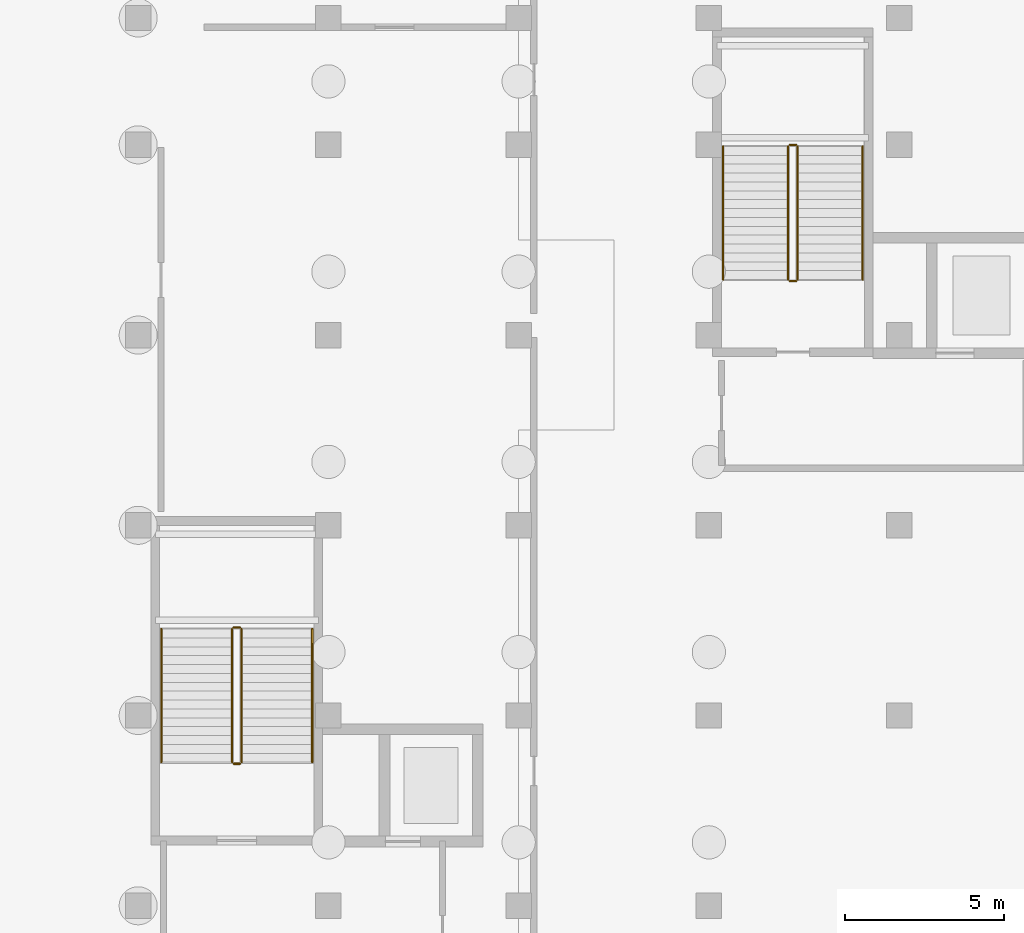
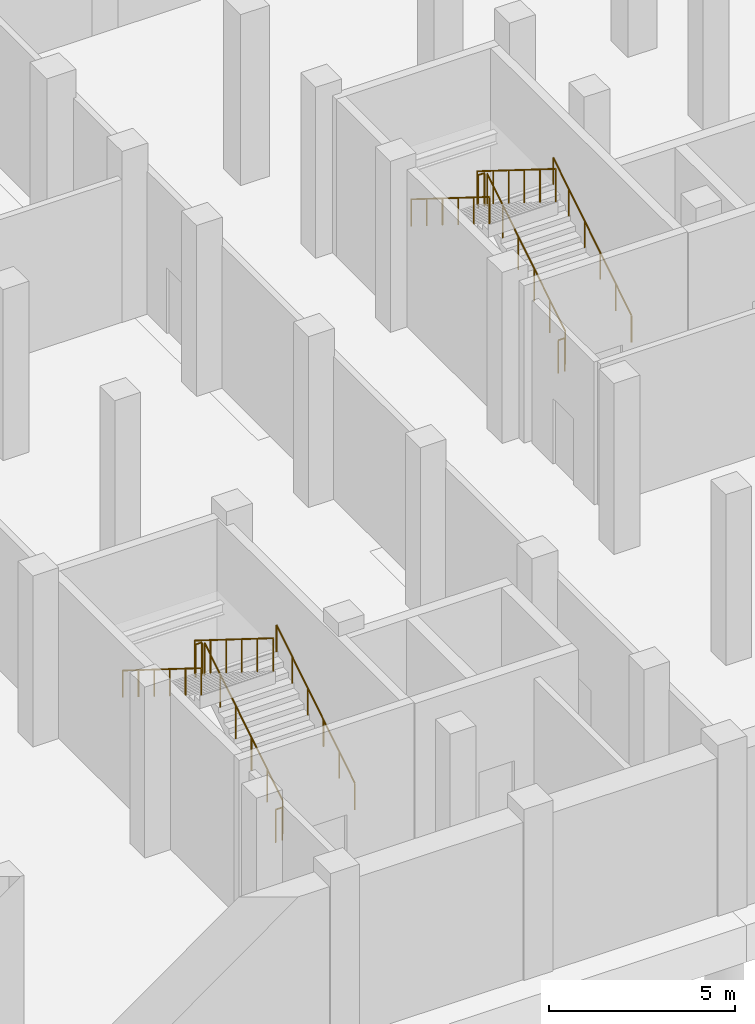
# One storey, part 25 of 26: 12 railings.
"""IFC4 building model written with IfcOpenShell, lengths in metres."""

from ifc_helpers import new_model, si_unit, direction, frame, origin, origin_2d, place, context, subcontext, project, spatial, circle, extrude, material, type_object, element, save


model = new_model("IFC4")

# Units and contexts
model_context = context("Model", 3, precision=1e-05, world=origin(), true_north=direction((0.0, 1.0)))
body_context = subcontext(model_context, "Body", "Model", "MODEL_VIEW")
ifc_project = project(units=[si_unit("LENGTHUNIT", "METRE"), si_unit("AREAUNIT", "SQUARE_METRE"), si_unit("VOLUMEUNIT", "CUBIC_METRE"), si_unit("PLANEANGLEUNIT", "RADIAN"), si_unit("MASSUNIT", "GRAM", prefix="KILO")], contexts=[model_context])

# Site, building, storey
site_placement = place(None, origin())
site = spatial("IfcSite", under=ifc_project, at=site_placement, CompositionType="ELEMENT")
building_placement = place(site_placement, origin())
building = spatial("IfcBuilding", under=site, at=building_placement, Name="Verrall Gate Interchange", CompositionType="ELEMENT")
storey_placement = place(building_placement, frame((0.0, 0.0, -10.39990234375)))
storey = spatial("IfcBuildingStorey", under=building, at=storey_placement, Name="B2", CompositionType="ELEMENT", Elevation=-10.39990234375)

# Railings
ifc_material_1 = material(Name="Brushed Stainless-Steel Guardrail and Handrail System", Category="steel")
railing_type_1 = type_object("IfcRailingType", Name="GR-02 Interior Atrium and Stair Guardrail 1100", PredefinedType="GUARDRAIL", material=ifc_material_1)
railing_1_placement = place(storey_placement, frame((135.260009765625, 20.530029296875, 0.1748046875)))
element("IfcRailing", 1, at=railing_1_placement, inside=storey, type_object=railing_type_1, Name="B2 ST-08 stair guard 1", PredefinedType="GUARDRAIL", context=body_context, shape_type="SweptSolid", body=[
    extrude(circle(Radius=0.02392578125, at=origin_2d()), frame((0.0, 0.0, 1.076171875), z_axis=(0.0, 0.847995534698, 0.530003370869), x_axis=(-1.0, 0.0, 0.0)), (0.0, 0.0, 1.0), 4.952880859375),
    extrude(circle(Radius=0.02099609375, at=origin_2d()), origin(), (0.0, 0.0, 1.0), 1.052001953125),
    extrude(circle(Radius=0.02099609375, at=origin_2d()), frame((0.0, 0.840087890625, 0.52490234375)), (0.0, 0.0, 1.0), 1.052001953125),
    extrude(circle(Radius=0.02099609375, at=origin_2d()), frame((0.0, 1.679931640625, 1.050048828125)), (0.0, 0.0, 1.0), 1.052001953125),
    extrude(circle(Radius=0.02099609375, at=origin_2d()), frame((0.0, 2.52001953125, 1.574951171875)), (0.0, 0.0, 1.0), 1.052001953125),
    extrude(circle(Radius=0.02099609375, at=origin_2d()), frame((0.0, 3.35986328125, 2.10009765625)), (0.0, 0.0, 1.0), 1.052001953125),
    extrude(circle(Radius=0.02099609375, at=origin_2d()), frame((0.0, 4.199951171875, 2.625)), (0.0, 0.0, 1.0), 1.052001953125),
])
railing_2_placement = place(storey_placement, frame((135.2099609375, 24.780029296875, 2.7998046875)))
element("IfcRailing", 2, at=railing_2_placement, inside=storey, type_object=railing_type_1, Name="B2 ST-08 stair guard 2", PredefinedType="GUARDRAIL", context=body_context, shape_type="SweptSolid", body=[
    extrude(circle(Radius=0.02392578125, at=origin_2d()), frame((0.0, 0.0, 1.076171875), z_axis=(-1.0, 0.0, 0.0), x_axis=(0.0, -1.0, 0.0)), (0.0, 0.0, 1.0), 0.199951171875),
    extrude(circle(Radius=0.02099609375, at=origin_2d()), origin(), (0.0, 0.0, 1.0), 1.052001953125),
    extrude(circle(Radius=0.02099609375, at=origin_2d()), frame((-0.199951171875, 0.0, 0.0)), (0.0, 0.0, 1.0), 1.052001953125),
])
railing_3_placement = place(storey_placement, frame((134.9599609375, 24.72998046875, 2.974853515625)))
element("IfcRailing", 3, at=railing_3_placement, inside=storey, type_object=railing_type_1, Name="B2 ST-08 stair guard 3", PredefinedType="GUARDRAIL", context=body_context, shape_type="SweptSolid", body=[
    extrude(circle(Radius=0.02392578125, at=origin_2d()), frame((0.0, 0.0, 1.076171875), z_axis=(0.0, -0.847995534698, 0.530003370869), x_axis=(1.0, 0.0, 0.0)), (0.0, 0.0, 1.0), 4.952880859375),
    extrude(circle(Radius=0.02099609375, at=origin_2d()), origin(), (0.0, 0.0, 1.0), 1.052001953125),
    extrude(circle(Radius=0.02099609375, at=origin_2d()), frame((0.0, -0.840087890625, 0.52490234375)), (0.0, 0.0, 1.0), 1.052001953125),
    extrude(circle(Radius=0.02099609375, at=origin_2d()), frame((0.0, -1.679931640625, 1.050048828125)), (0.0, 0.0, 1.0), 1.052001953125),
    extrude(circle(Radius=0.02099609375, at=origin_2d()), frame((0.0, -2.52001953125, 1.574951171875)), (0.0, 0.0, 1.0), 1.052001953125),
    extrude(circle(Radius=0.02099609375, at=origin_2d()), frame((0.0, -3.35986328125, 2.10009765625)), (0.0, 0.0, 1.0), 1.052001953125),
    extrude(circle(Radius=0.02099609375, at=origin_2d()), frame((0.0, -4.199951171875, 2.625)), (0.0, 0.0, 1.0), 1.052001953125),
])
railing_4_placement = place(storey_placement, frame((135.2099609375, 20.47998046875, 0.0)))
element("IfcRailing", 4, at=railing_4_placement, inside=storey, type_object=railing_type_1, Name="B2 ST-08 stair guard 4", PredefinedType="GUARDRAIL", context=body_context, shape_type="SweptSolid", body=[
    extrude(circle(Radius=0.02392578125, at=origin_2d()), frame((0.0, 0.0, 1.076171875), z_axis=(-1.0, 0.0, 0.0), x_axis=(0.0, -1.0, 0.0)), (0.0, 0.0, 1.0), 0.199951171875),
    extrude(circle(Radius=0.02099609375, at=origin_2d()), origin(), (0.0, 0.0, 1.0), 1.052001953125),
    extrude(circle(Radius=0.02099609375, at=origin_2d()), frame((-0.199951171875, 0.0, 0.0)), (0.0, 0.0, 1.0), 1.052001953125),
])
railing_5_placement = place(storey_placement, frame((152.800048828125, 35.75, 0.1748046875)))
element("IfcRailing", 5, at=railing_5_placement, inside=storey, type_object=railing_type_1, Name="B2 ST-09 stair guard 1", PredefinedType="GUARDRAIL", context=body_context, shape_type="SweptSolid", body=[
    extrude(circle(Radius=0.02392578125, at=origin_2d()), frame((0.0, 0.0, 1.076171875), z_axis=(0.0, 0.847995534698, 0.530003370869), x_axis=(-1.0, 0.0, 0.0)), (0.0, 0.0, 1.0), 4.952880859375),
    extrude(circle(Radius=0.02099609375, at=origin_2d()), origin(), (0.0, 0.0, 1.0), 1.052001953125),
    extrude(circle(Radius=0.02099609375, at=origin_2d()), frame((0.0, 0.840087890625, 0.52490234375)), (0.0, 0.0, 1.0), 1.052001953125),
    extrude(circle(Radius=0.02099609375, at=origin_2d()), frame((0.0, 1.679931640625, 1.050048828125)), (0.0, 0.0, 1.0), 1.052001953125),
    extrude(circle(Radius=0.02099609375, at=origin_2d()), frame((0.0, 2.52001953125, 1.574951171875)), (0.0, 0.0, 1.0), 1.052001953125),
    extrude(circle(Radius=0.02099609375, at=origin_2d()), frame((0.0, 3.35986328125, 2.10009765625)), (0.0, 0.0, 1.0), 1.052001953125),
    extrude(circle(Radius=0.02099609375, at=origin_2d()), frame((0.0, 4.199951171875, 2.625)), (0.0, 0.0, 1.0), 1.052001953125),
])
railing_6_placement = place(storey_placement, frame((152.75, 40.0, 2.7998046875)))
element("IfcRailing", 6, at=railing_6_placement, inside=storey, type_object=railing_type_1, Name="B2 ST-09 stair guard 2", PredefinedType="GUARDRAIL", context=body_context, shape_type="SweptSolid", body=[
    extrude(circle(Radius=0.02392578125, at=origin_2d()), frame((0.0, 0.0, 1.076171875), z_axis=(-1.0, 0.0, 0.0), x_axis=(0.0, -1.0, 0.0)), (0.0, 0.0, 1.0), 0.199951171875),
    extrude(circle(Radius=0.02099609375, at=origin_2d()), origin(), (0.0, 0.0, 1.0), 1.052001953125),
    extrude(circle(Radius=0.02099609375, at=origin_2d()), frame((-0.199951171875, 0.0, 0.0)), (0.0, 0.0, 1.0), 1.052001953125),
])
railing_7_placement = place(storey_placement, frame((152.5, 39.949951171875, 2.974853515625)))
element("IfcRailing", 7, at=railing_7_placement, inside=storey, type_object=railing_type_1, Name="B2 ST-09 stair guard 3", PredefinedType="GUARDRAIL", context=body_context, shape_type="SweptSolid", body=[
    extrude(circle(Radius=0.02392578125, at=origin_2d()), frame((0.0, 0.0, 1.076171875), z_axis=(0.0, -0.847995534698, 0.530003370869), x_axis=(1.0, 0.0, 0.0)), (0.0, 0.0, 1.0), 4.952880859375),
    extrude(circle(Radius=0.02099609375, at=origin_2d()), origin(), (0.0, 0.0, 1.0), 1.052001953125),
    extrude(circle(Radius=0.02099609375, at=origin_2d()), frame((0.0, -0.840087890625, 0.52490234375)), (0.0, 0.0, 1.0), 1.052001953125),
    extrude(circle(Radius=0.02099609375, at=origin_2d()), frame((0.0, -1.679931640625, 1.050048828125)), (0.0, 0.0, 1.0), 1.052001953125),
    extrude(circle(Radius=0.02099609375, at=origin_2d()), frame((0.0, -2.52001953125, 1.574951171875)), (0.0, 0.0, 1.0), 1.052001953125),
    extrude(circle(Radius=0.02099609375, at=origin_2d()), frame((0.0, -3.35986328125, 2.10009765625)), (0.0, 0.0, 1.0), 1.052001953125),
    extrude(circle(Radius=0.02099609375, at=origin_2d()), frame((0.0, -4.199951171875, 2.625)), (0.0, 0.0, 1.0), 1.052001953125),
])
railing_8_placement = place(storey_placement, frame((152.75, 35.699951171875, 0.0)))
element("IfcRailing", 8, at=railing_8_placement, inside=storey, type_object=railing_type_1, Name="B2 ST-09 stair guard 4", PredefinedType="GUARDRAIL", context=body_context, shape_type="SweptSolid", body=[
    extrude(circle(Radius=0.02392578125, at=origin_2d()), frame((0.0, 0.0, 1.076171875), z_axis=(-1.0, 0.0, 0.0), x_axis=(0.0, -1.0, 0.0)), (0.0, 0.0, 1.0), 0.199951171875),
    extrude(circle(Radius=0.02099609375, at=origin_2d()), origin(), (0.0, 0.0, 1.0), 1.052001953125),
    extrude(circle(Radius=0.02099609375, at=origin_2d()), frame((-0.199951171875, 0.0, 0.0)), (0.0, 0.0, 1.0), 1.052001953125),
])
ifc_material_2 = material(Name="Brushed Stainless-Steel Guardrail and Handrail System", Category="steel")
railing_type_2 = type_object("IfcRailingType", Name="HR-01 Stair and Ramp Pitch-Line Handrail 920", PredefinedType="HANDRAIL", material=ifc_material_2)
railing_9_placement = place(storey_placement, frame((137.489990234375, 20.530029296875, 0.1748046875)))
element("IfcRailing", 9, at=railing_9_placement, inside=storey, type_object=railing_type_2, Name="B2 ST-08 stair handrail 1", PredefinedType="HANDRAIL", context=body_context, shape_type="SweptSolid", body=[
    extrude(circle(Radius=0.02392578125, at=origin_2d()), frame((0.0, 0.0, 0.8759765625), z_axis=(0.0, 0.847995534698, 0.530003370869), x_axis=(-1.0, 0.0, 0.0)), (0.0, 0.0, 1.0), 4.952880859375),
    extrude(circle(Radius=0.02099609375, at=origin_2d()), origin(), (0.0, 0.0, 1.0), 0.851806640625),
    extrude(circle(Radius=0.02099609375, at=origin_2d()), frame((0.0, 0.840087890625, 0.52490234375)), (0.0, 0.0, 1.0), 0.851806640625),
    extrude(circle(Radius=0.02099609375, at=origin_2d()), frame((0.0, 1.679931640625, 1.050048828125)), (0.0, 0.0, 1.0), 0.851806640625),
    extrude(circle(Radius=0.02099609375, at=origin_2d()), frame((0.0, 2.52001953125, 1.574951171875)), (0.0, 0.0, 1.0), 0.851806640625),
    extrude(circle(Radius=0.02099609375, at=origin_2d()), frame((0.0, 3.35986328125, 2.10009765625)), (0.0, 0.0, 1.0), 0.851806640625),
    extrude(circle(Radius=0.02099609375, at=origin_2d()), frame((0.0, 4.199951171875, 2.625)), (0.0, 0.0, 1.0), 0.851806640625),
])
railing_10_placement = place(storey_placement, frame((132.72998046875, 24.72998046875, 2.974853515625)))
element("IfcRailing", 10, at=railing_10_placement, inside=storey, type_object=railing_type_2, Name="B2 ST-08 stair handrail 2", PredefinedType="HANDRAIL", context=body_context, shape_type="SweptSolid", body=[
    extrude(circle(Radius=0.02392578125, at=origin_2d()), frame((0.0, 0.0, 0.8759765625), z_axis=(0.0, -0.847995534698, 0.530003370869), x_axis=(1.0, 0.0, 0.0)), (0.0, 0.0, 1.0), 4.952880859375),
    extrude(circle(Radius=0.02099609375, at=origin_2d()), origin(), (0.0, 0.0, 1.0), 0.851806640625),
    extrude(circle(Radius=0.02099609375, at=origin_2d()), frame((0.0, -0.840087890625, 0.52490234375)), (0.0, 0.0, 1.0), 0.851806640625),
    extrude(circle(Radius=0.02099609375, at=origin_2d()), frame((0.0, -1.679931640625, 1.050048828125)), (0.0, 0.0, 1.0), 0.851806640625),
    extrude(circle(Radius=0.02099609375, at=origin_2d()), frame((0.0, -2.52001953125, 1.574951171875)), (0.0, 0.0, 1.0), 0.851806640625),
    extrude(circle(Radius=0.02099609375, at=origin_2d()), frame((0.0, -3.35986328125, 2.10009765625)), (0.0, 0.0, 1.0), 0.851806640625),
    extrude(circle(Radius=0.02099609375, at=origin_2d()), frame((0.0, -4.199951171875, 2.625)), (0.0, 0.0, 1.0), 0.851806640625),
])
railing_11_placement = place(storey_placement, frame((154.85009765625, 35.75, 0.1748046875)))
element("IfcRailing", 11, at=railing_11_placement, inside=storey, type_object=railing_type_2, Name="B2 ST-09 stair handrail 1", PredefinedType="HANDRAIL", context=body_context, shape_type="SweptSolid", body=[
    extrude(circle(Radius=0.02392578125, at=origin_2d()), frame((0.0, 0.0, 0.8759765625), z_axis=(0.0, 0.847995534698, 0.530003370869), x_axis=(-1.0, 0.0, 0.0)), (0.0, 0.0, 1.0), 4.952880859375),
    extrude(circle(Radius=0.02099609375, at=origin_2d()), origin(), (0.0, 0.0, 1.0), 0.851806640625),
    extrude(circle(Radius=0.02099609375, at=origin_2d()), frame((0.0, 0.840087890625, 0.52490234375)), (0.0, 0.0, 1.0), 0.851806640625),
    extrude(circle(Radius=0.02099609375, at=origin_2d()), frame((0.0, 1.679931640625, 1.050048828125)), (0.0, 0.0, 1.0), 0.851806640625),
    extrude(circle(Radius=0.02099609375, at=origin_2d()), frame((0.0, 2.52001953125, 1.574951171875)), (0.0, 0.0, 1.0), 0.851806640625),
    extrude(circle(Radius=0.02099609375, at=origin_2d()), frame((0.0, 3.35986328125, 2.10009765625)), (0.0, 0.0, 1.0), 0.851806640625),
    extrude(circle(Radius=0.02099609375, at=origin_2d()), frame((0.0, 4.199951171875, 2.625)), (0.0, 0.0, 1.0), 0.851806640625),
])
railing_12_placement = place(storey_placement, frame((150.449951171875, 39.949951171875, 2.974853515625)))
element("IfcRailing", 12, at=railing_12_placement, inside=storey, type_object=railing_type_2, Name="B2 ST-09 stair handrail 2", PredefinedType="HANDRAIL", context=body_context, shape_type="SweptSolid", body=[
    extrude(circle(Radius=0.02392578125, at=origin_2d()), frame((0.0, 0.0, 0.8759765625), z_axis=(0.0, -0.847995534698, 0.530003370869), x_axis=(1.0, 0.0, 0.0)), (0.0, 0.0, 1.0), 4.952880859375),
    extrude(circle(Radius=0.02099609375, at=origin_2d()), origin(), (0.0, 0.0, 1.0), 0.851806640625),
    extrude(circle(Radius=0.02099609375, at=origin_2d()), frame((0.0, -0.840087890625, 0.52490234375)), (0.0, 0.0, 1.0), 0.851806640625),
    extrude(circle(Radius=0.02099609375, at=origin_2d()), frame((0.0, -1.679931640625, 1.050048828125)), (0.0, 0.0, 1.0), 0.851806640625),
    extrude(circle(Radius=0.02099609375, at=origin_2d()), frame((0.0, -2.52001953125, 1.574951171875)), (0.0, 0.0, 1.0), 0.851806640625),
    extrude(circle(Radius=0.02099609375, at=origin_2d()), frame((0.0, -3.35986328125, 2.10009765625)), (0.0, 0.0, 1.0), 0.851806640625),
    extrude(circle(Radius=0.02099609375, at=origin_2d()), frame((0.0, -4.199951171875, 2.625)), (0.0, 0.0, 1.0), 0.851806640625),
])

save(model, "model.ifc")
